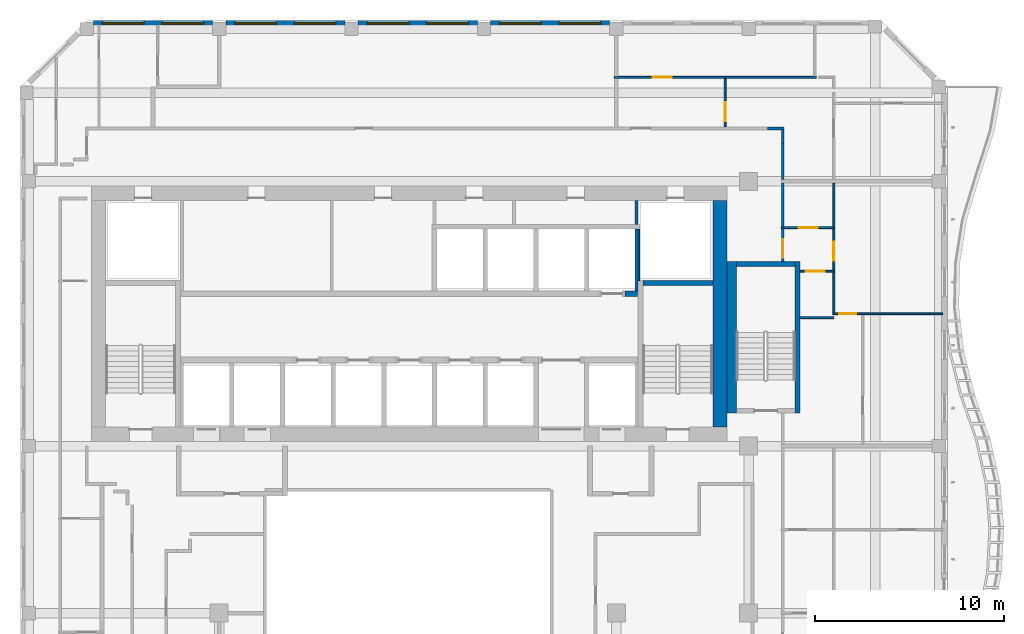
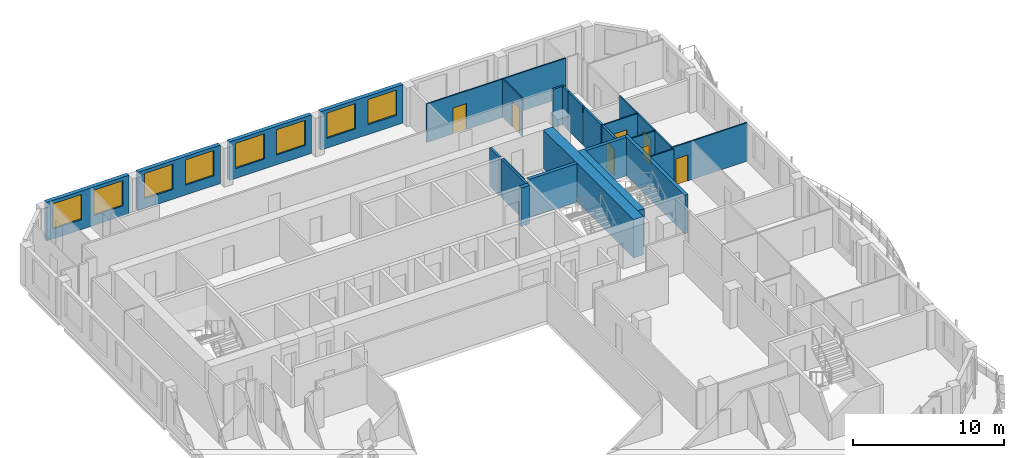
# One storey, part 8 of 20: 27 walls, 8 windows, 7 doors, 15 openings.
"""IFC4 building model written with IfcOpenShell, lengths in metres."""

from ifc_helpers import new_model, si_unit, direction, frame, frame_2d, origin, place, context, subcontext, project, spatial, rectangle, extrude, source, transform, mapped, material, layer, layer_set, type_object, element, fill, save


model = new_model("IFC4")

# Units and contexts
model_context = context("Model", 3, precision=1e-05, world=origin(), true_north=direction((0.0, 1.0)))
body_context = subcontext(model_context, "Body", "Model", "MODEL_VIEW")
ifc_project = project(units=[si_unit("LENGTHUNIT", "METRE"), si_unit("AREAUNIT", "SQUARE_METRE"), si_unit("VOLUMEUNIT", "CUBIC_METRE"), si_unit("PLANEANGLEUNIT", "RADIAN"), si_unit("MASSUNIT", "GRAM", prefix="KILO")], contexts=[model_context])

# Site, building, storey
site_placement = place(None, origin())
site = spatial("IfcSite", under=ifc_project, at=site_placement, CompositionType="ELEMENT")
building_placement = place(site_placement, origin())
building = spatial("IfcBuilding", under=site, at=building_placement, Name="Kilnfold Tower and Market Hall", CompositionType="ELEMENT")
storey_placement = place(building_placement, frame((0.0, 0.0, 239.0)))
storey = spatial("IfcBuildingStorey", under=building, at=storey_placement, Name="L57", CompositionType="ELEMENT", Elevation=239.0)

# Wall, opening, door
ifc_material_1 = material(Name="Gypsum board on steel studs", Category="steel")
ifc_layer_1 = layer(ifc_material_1, 0.14990234375)
ifc_layer_set_1 = layer_set([ifc_layer_1], Name="Gypsum board on steel studs")
wall_type_1 = type_object("IfcWallType", Name="WALL CORRIDOR 150", PredefinedType="PARTITIONING", material=ifc_layer_set_1)
wall_1_placement = place(storey_placement, frame((20.800048828125, 17.75, 0.0), z_axis=(0.0, 0.0, 1.0), x_axis=(0.0, 1.0, 0.0)))
wall_1 = element("IfcWall", 1, at=wall_1_placement, inside=storey, type_object=wall_type_1, Name="Partition LY35.17", PredefinedType="PARTITIONING", context=body_context, shape_type="SweptSolid", body=[
    extrude(rectangle(XDim=1.761962890625, YDim=0.14990234375, at=frame_2d((0.880859375, 0.0))), origin(), (0.0, 0.0, 1.0), 3.1201171875),
])
opening_1_placement = place(wall_1_placement, frame((0.199951171875, 0.0, 0.0)))
opening_1 = element("IfcOpeningElement", 2, at=opening_1_placement, cuts=wall_1, Name="Opening D1", PredefinedType="OPENING", context=body_context, shape_type="SweptSolid", body=[
    extrude(rectangle(XDim=1.0, YDim=2.10009765625, at=frame_2d((0.5, 1.050048828125))), frame((0.0, 0.0849609375, 0.0), z_axis=(0.0, -1.0, 0.0), x_axis=(1.0, 0.0, 0.0)), (0.0, 0.0, 1.0), 0.169921875),
])
ifc_material_2 = material(Name="Timber veneer door leaf in steel frame", Category="steel")
door_type_1 = type_object("IfcDoorType", Name="DOOR ENTRY 1000 X2100", OperationType="NOTDEFINED", PredefinedType="DOOR", material=ifc_material_2)
door_1_placement = place(opening_1_placement, origin())
door_1 = element("IfcDoor", 3, at=door_1_placement, inside=storey, type_object=door_type_1, Name="Door D1", OperationType="SINGLE_SWING_LEFT", OverallHeight=2.10009765625, OverallWidth=1.0, PredefinedType="DOOR", context=body_context, shape_type="SweptSolid", body=[
    extrude(rectangle(XDim=1.0, YDim=2.10009765625, at=frame_2d((0.5, 1.050048828125))), frame((0.0, 0.02490234375, 0.0), z_axis=(0.0, -1.0, 0.0), x_axis=(1.0, 0.0, 0.0)), (0.0, 0.0, 1.0), 0.050048828125),
])
fill(opening_1, door_1)

# Walls
wall_2_placement = place(storey_placement, frame((20.800048828125, 19.592041015625, 0.0), z_axis=(0.0, 0.0, 1.0), x_axis=(0.0, 1.0, 0.0)))
element("IfcWall", 4, at=wall_2_placement, inside=storey, type_object=wall_type_1, Name="Partition LY35.18", PredefinedType="PARTITIONING", context=body_context, shape_type="SweptSolid", body=[
    extrude(rectangle(XDim=2.31787109375, YDim=0.14990234375, at=frame_2d((1.158935546875, 0.0))), origin(), (0.0, 0.0, 1.0), 3.1201171875),
])
wall_3_placement = place(storey_placement, frame((20.876953125, 24.802001953125, 0.0), z_axis=(0.0, 0.0, 1.0), x_axis=(-1.0, 0.0, 0.0)))
element("IfcWall", 5, at=wall_3_placement, inside=storey, type_object=wall_type_1, Name="Partition LY35.19", PredefinedType="PARTITIONING", context=body_context, shape_type="SweptSolid", body=[
    extrude(rectangle(XDim=0.87890625, YDim=0.14990234375, at=frame_2d((0.439453125, 0.0))), origin(), (0.0, 0.0, 1.0), 3.1201171875),
])
wall_4_placement = place(storey_placement, frame((20.802001953125, 23.998046875, 0.0), z_axis=(0.0, 0.0, 1.0), x_axis=(0.0, 1.0, 0.0)))
element("IfcWall", 6, at=wall_4_placement, inside=storey, type_object=wall_type_1, Name="Partition LY35.20", PredefinedType="PARTITIONING", context=body_context, shape_type="SweptSolid", body=[
    extrude(rectangle(XDim=0.72900390625, YDim=0.14990234375, at=frame_2d((0.364501953125, 0.0))), origin(), (0.0, 0.0, 1.0), 3.1201171875),
])
wall_5_placement = place(storey_placement, frame((20.800048828125, 22.090087890625, 0.0), z_axis=(0.0, 0.0, 1.0), x_axis=(0.0, 1.0, 0.0)))
element("IfcWall", 7, at=wall_5_placement, inside=storey, type_object=wall_type_1, Name="Partition LY35.21", PredefinedType="PARTITIONING", context=body_context, shape_type="SweptSolid", body=[
    extrude(rectangle(XDim=1.907958984375, YDim=0.14990234375, at=frame_2d((0.9541015625, 0.0))), origin(), (0.0, 0.0, 1.0), 3.1201171875),
])

# Wall, opening, door
ifc_material_3 = material(Name="Gypsum board on steel studs", Category="steel")
ifc_layer_2 = layer(ifc_material_3, 0.10009765625)
ifc_layer_set_2 = layer_set([ifc_layer_2], Name="Gypsum board on steel studs")
wall_type_2 = type_object("IfcWallType", Name="WALL PARTITION 100", PredefinedType="PARTITIONING", material=ifc_layer_set_2)
wall_6_placement = place(storey_placement, frame((23.451904296875, 15.0, 0.0), z_axis=(0.0, 0.0, 1.0), x_axis=(1.0, 0.0, 0.0)))
wall_6 = element("IfcWall", 8, at=wall_6_placement, inside=storey, type_object=wall_type_2, Name="Partition LY35.81", PredefinedType="PARTITIONING", context=body_context, shape_type="SweptSolid", body=[
    extrude(rectangle(XDim=5.798095703125, YDim=0.10009765625, at=frame_2d((2.89892578125, 0.0))), origin(), (0.0, 0.0, 1.0), 3.1201171875),
])
opening_2_placement = place(wall_6_placement, frame((0.3369140625, 0.0, 0.0)))
opening_2 = element("IfcOpeningElement", 9, at=opening_2_placement, cuts=wall_6, Name="Opening D2", PredefinedType="OPENING", context=body_context, shape_type="SweptSolid", body=[
    extrude(rectangle(XDim=0.89990234375, YDim=2.10009765625, at=frame_2d((0.449951171875, 1.050048828125))), frame((0.0, 0.06005859375, 0.0), z_axis=(0.0, -1.0, 0.0), x_axis=(1.0, 0.0, 0.0)), (0.0, 0.0, 1.0), 0.1201171875),
])
ifc_material_4 = material(Name="Timber veneer door leaf in steel frame", Category="steel")
door_type_2 = type_object("IfcDoorType", Name="DOOR ROOM 900 X2100", OperationType="NOTDEFINED", PredefinedType="DOOR", material=ifc_material_4)
door_2_placement = place(opening_2_placement, origin())
door_2 = element("IfcDoor", 10, at=door_2_placement, inside=storey, type_object=door_type_2, Name="Door D2", OperationType="SINGLE_SWING_LEFT", OverallHeight=2.10009765625, OverallWidth=0.89990234375, PredefinedType="DOOR", context=body_context, shape_type="SweptSolid", body=[
    extrude(rectangle(XDim=0.89990234375, YDim=2.10009765625, at=frame_2d((0.449951171875, 1.050048828125))), frame((0.0, 0.02490234375, 0.0), z_axis=(0.0, -1.0, 0.0), x_axis=(1.0, 0.0, 0.0)), (0.0, 0.0, 1.0), 0.050048828125),
])
fill(opening_2, door_2)

# Walls
wall_7_placement = place(storey_placement, frame((23.5009765625, 14.798095703125, 0.0), z_axis=(0.0, 0.0, 1.0), x_axis=(-1.0, 0.0, 0.0)))
element("IfcWall", 11, at=wall_7_placement, inside=storey, type_object=wall_type_2, Name="Partition LY35.82", PredefinedType="PARTITIONING", context=body_context, shape_type="SweptSolid", body=[
    extrude(rectangle(XDim=1.801025390625, YDim=0.10009765625, at=frame_2d((0.900390625, 0.0))), origin(), (0.0, 0.0, 1.0), 3.1201171875),
])
wall_8_placement = place(storey_placement, frame((23.501953125, 15.050048828125, 0.0), z_axis=(0.0, 0.0, 1.0), x_axis=(0.0, 1.0, 0.0)))
element("IfcWall", 12, at=wall_8_placement, inside=storey, type_object=wall_type_2, Name="Partition LY35.83", PredefinedType="PARTITIONING", context=body_context, shape_type="SweptSolid", body=[
    extrude(rectangle(XDim=2.157958984375, YDim=0.10009765625, at=frame_2d((1.0791015625, 0.0))), origin(), (0.0, 0.0, 1.0), 3.1201171875),
])

# Wall, opening, door
wall_9_placement = place(storey_placement, frame((23.501953125, 17.2880859375, 0.0), z_axis=(0.0, 0.0, 1.0), x_axis=(0.0, 1.0, 0.0)))
wall_9 = element("IfcWall", 13, at=wall_9_placement, inside=storey, type_object=wall_type_2, Name="Partition LY35.84", PredefinedType="PARTITIONING", context=body_context, shape_type="SweptSolid", body=[
    extrude(rectangle(XDim=2.223876953125, YDim=0.10009765625, at=frame_2d((1.11181640625, 0.0))), origin(), (0.0, 0.0, 1.0), 3.1201171875),
])
opening_3_placement = place(wall_9_placement, frame((0.509033203125, 0.0, 0.0)))
opening_3 = element("IfcOpeningElement", 14, at=opening_3_placement, cuts=wall_9, Name="Opening D1", PredefinedType="OPENING", context=body_context, shape_type="SweptSolid", body=[
    extrude(rectangle(XDim=1.0, YDim=2.10009765625, at=frame_2d((0.5, 1.050048828125))), frame((0.0, 0.06005859375, 0.0), z_axis=(0.0, -1.0, 0.0), x_axis=(1.0, 0.0, 0.0)), (0.0, 0.0, 1.0), 0.1201171875),
])
door_3_placement = place(opening_3_placement, origin())
door_3 = element("IfcDoor", 15, at=door_3_placement, inside=storey, type_object=door_type_1, Name="Door D1", OperationType="SINGLE_SWING_LEFT", OverallHeight=2.10009765625, OverallWidth=1.0, PredefinedType="DOOR", context=body_context, shape_type="SweptSolid", body=[
    extrude(rectangle(XDim=1.0, YDim=2.10009765625, at=frame_2d((0.5, 1.050048828125))), frame((0.0, 0.02490234375, 0.0), z_axis=(0.0, -1.0, 0.0), x_axis=(1.0, 0.0, 0.0)), (0.0, 0.0, 1.0), 0.050048828125),
])
fill(opening_3, door_3)

# Wall
wall_10_placement = place(storey_placement, frame((23.501953125, 19.592041015625, 0.0), z_axis=(0.0, 0.0, 1.0), x_axis=(0.0, 1.0, 0.0)))
element("IfcWall", 16, at=wall_10_placement, inside=storey, type_object=wall_type_2, Name="Partition LY35.85", PredefinedType="PARTITIONING", context=body_context, shape_type="SweptSolid", body=[
    extrude(rectangle(XDim=2.307861328125, YDim=0.10009765625, at=frame_2d((1.15380859375, 0.0))), origin(), (0.0, 0.0, 1.0), 3.1201171875),
])

# Wall, opening, door
wall_11_placement = place(storey_placement, frame((23.550048828125, 17.248046875, 0.0), z_axis=(0.0, 0.0, 1.0), x_axis=(-1.0, 0.0, 0.0)))
wall_11 = element("IfcWall", 17, at=wall_11_placement, inside=storey, type_object=wall_type_2, Name="Partition LY35.86", PredefinedType="PARTITIONING", context=body_context, shape_type="SweptSolid", body=[
    extrude(rectangle(XDim=1.85009765625, YDim=0.10009765625, at=frame_2d((0.925048828125, 0.0))), origin(), (0.0, 0.0, 1.0), 3.1201171875),
])
opening_4_placement = place(wall_11_placement, frame((0.5380859375, 0.0, 0.0)))
opening_4 = element("IfcOpeningElement", 18, at=opening_4_placement, cuts=wall_11, Name="Opening D1", PredefinedType="OPENING", context=body_context, shape_type="SweptSolid", body=[
    extrude(rectangle(XDim=1.0, YDim=2.10009765625, at=frame_2d((0.5, 1.050048828125))), frame((0.0, 0.06005859375, 0.0), z_axis=(0.0, -1.0, 0.0), x_axis=(1.0, 0.0, 0.0)), (0.0, 0.0, 1.0), 0.1201171875),
])
door_4_placement = place(opening_4_placement, origin())
door_4 = element("IfcDoor", 19, at=door_4_placement, inside=storey, type_object=door_type_1, Name="Door D1", OperationType="SINGLE_SWING_LEFT", OverallHeight=2.10009765625, OverallWidth=1.0, PredefinedType="DOOR", context=body_context, shape_type="SweptSolid", body=[
    extrude(rectangle(XDim=1.0, YDim=2.10009765625, at=frame_2d((0.5, 1.050048828125))), frame((0.0, 0.02490234375, 0.0), z_axis=(0.0, -1.0, 0.0), x_axis=(1.0, 0.0, 0.0)), (0.0, 0.0, 1.0), 0.050048828125),
])
fill(opening_4, door_4)

wall_12_placement = place(storey_placement, frame((23.550048828125, 19.552001953125, 0.0), z_axis=(0.0, 0.0, 1.0), x_axis=(-1.0, 0.0, 0.0)))
wall_12 = element("IfcWall", 20, at=wall_12_placement, inside=storey, type_object=wall_type_2, Name="Partition LY35.87", PredefinedType="PARTITIONING", context=body_context, shape_type="SweptSolid", body=[
    extrude(rectangle(XDim=2.822998046875, YDim=0.10009765625, at=frame_2d((1.41162109375, 0.0))), origin(), (0.0, 0.0, 1.0), 3.1201171875),
])
opening_5_placement = place(wall_12_placement, frame((0.912109375, 0.0, 0.0)))
opening_5 = element("IfcOpeningElement", 21, at=opening_5_placement, cuts=wall_12, Name="Opening D1", PredefinedType="OPENING", context=body_context, shape_type="SweptSolid", body=[
    extrude(rectangle(XDim=1.0, YDim=2.10009765625, at=frame_2d((0.5, 1.050048828125))), frame((0.0, 0.06005859375, 0.0), z_axis=(0.0, -1.0, 0.0), x_axis=(1.0, 0.0, 0.0)), (0.0, 0.0, 1.0), 0.1201171875),
])
door_5_placement = place(opening_5_placement, origin())
door_5 = element("IfcDoor", 22, at=door_5_placement, inside=storey, type_object=door_type_1, Name="Door D1", OperationType="SINGLE_SWING_RIGHT", OverallHeight=2.10009765625, OverallWidth=1.0, PredefinedType="DOOR", context=body_context, shape_type="SweptSolid", body=[
    extrude(rectangle(XDim=1.0, YDim=2.10009765625, at=frame_2d((0.5, 1.050048828125))), frame((0.0, 0.02490234375, 0.0), z_axis=(0.0, -1.0, 0.0), x_axis=(1.0, 0.0, 0.0)), (0.0, 0.0, 1.0), 0.050048828125),
])
fill(opening_5, door_5)

wall_13_placement = place(storey_placement, frame((17.75, 24.876953125, 0.0), z_axis=(0.0, 0.0, 1.0), x_axis=(0.0, 1.0, 0.0)))
wall_13 = element("IfcWall", 23, at=wall_13_placement, inside=storey, type_object=wall_type_2, Name="Partition LY35.89", PredefinedType="PARTITIONING", context=body_context, shape_type="SweptSolid", body=[
    extrude(rectangle(XDim=2.572998046875, YDim=0.10009765625, at=frame_2d((1.28662109375, 0.0))), origin(), (0.0, 0.0, 1.0), 3.1201171875),
])
opening_6_placement = place(wall_13_placement, frame((0.306884765625, 0.0, 0.0)))
opening_6 = element("IfcOpeningElement", 24, at=opening_6_placement, cuts=wall_13, Name="Opening D1", PredefinedType="OPENING", context=body_context, shape_type="SweptSolid", body=[
    extrude(rectangle(XDim=1.0, YDim=2.10009765625, at=frame_2d((0.5, 1.050048828125))), frame((0.0, 0.06005859375, 0.0), z_axis=(0.0, -1.0, 0.0), x_axis=(1.0, 0.0, 0.0)), (0.0, 0.0, 1.0), 0.1201171875),
])
door_6_placement = place(opening_6_placement, origin())
door_6 = element("IfcDoor", 25, at=door_6_placement, inside=storey, type_object=door_type_1, Name="Door D1", OperationType="SINGLE_SWING_RIGHT", OverallHeight=2.10009765625, OverallWidth=1.0, PredefinedType="DOOR", context=body_context, shape_type="SweptSolid", body=[
    extrude(rectangle(XDim=1.0, YDim=2.10009765625, at=frame_2d((0.5, 1.050048828125))), frame((0.0, 0.02490234375, 0.0), z_axis=(0.0, -1.0, 0.0), x_axis=(1.0, 0.0, 0.0)), (0.0, 0.0, 1.0), 0.050048828125),
])
fill(opening_6, door_6)

wall_14_placement = place(storey_placement, frame((11.89990234375, 27.5, 0.0), z_axis=(0.0, 0.0, 1.0), x_axis=(1.0, 0.0, 0.0)))
wall_14 = element("IfcWall", 26, at=wall_14_placement, inside=storey, type_object=wall_type_2, Name="Partition LY35.90", PredefinedType="PARTITIONING", context=body_context, shape_type="SweptSolid", body=[
    extrude(rectangle(XDim=10.66015625, YDim=0.10009765625, at=frame_2d((5.330078125, 0.0))), origin(), (0.0, 0.0, 1.0), 3.1201171875),
])
opening_7_placement = place(wall_14_placement, frame((2.02001953125, 0.0, 0.0)))
opening_7 = element("IfcOpeningElement", 27, at=opening_7_placement, cuts=wall_14, Name="Opening D1", PredefinedType="OPENING", context=body_context, shape_type="SweptSolid", body=[
    extrude(rectangle(XDim=1.0, YDim=2.10009765625, at=frame_2d((0.5, 1.050048828125))), frame((0.0, 0.06005859375, 0.0), z_axis=(0.0, -1.0, 0.0), x_axis=(1.0, 0.0, 0.0)), (0.0, 0.0, 1.0), 0.1201171875),
])
door_7_placement = place(opening_7_placement, origin())
door_7 = element("IfcDoor", 28, at=door_7_placement, inside=storey, type_object=door_type_1, Name="Door D1", OperationType="SINGLE_SWING_LEFT", OverallHeight=2.10009765625, OverallWidth=1.0, PredefinedType="DOOR", context=body_context, shape_type="SweptSolid", body=[
    extrude(rectangle(XDim=1.0, YDim=2.10009765625, at=frame_2d((0.5, 1.050048828125))), frame((0.0, 0.02490234375, 0.0), z_axis=(0.0, -1.0, 0.0), x_axis=(1.0, 0.0, 0.0)), (0.0, 0.0, 1.0), 0.050048828125),
])
fill(opening_7, door_7)

# Walls
ifc_material_5 = material(Name="Concrete C60", Category="concrete")
ifc_layer_3 = layer(ifc_material_5, 0.25)
ifc_layer_set_3 = layer_set([ifc_layer_3], Name="Concrete C60")
wall_type_3 = type_object("IfcWallType", Name="CORE WALL 250 C60", PredefinedType="SHEAR", material=ifc_layer_set_3)
shared_shape_1 = source(origin(), body_context, "Body", "SweptSolid", [
    extrude(rectangle(XDim=3.7001953125, YDim=0.25, at=frame_2d((1.85009765625, 0.0))), origin(), (0.0, 0.0, 1.0), 3.1201171875),
])
wall_15_placement = place(storey_placement, frame((13.39990234375, 16.625, 0.0), z_axis=(0.0, 0.0, 1.0), x_axis=(1.0, 0.0, 0.0)))
element("IfcWall", 29, at=wall_15_placement, inside=storey, type_object=wall_type_3, Name="Stair enclosure ST2", PredefinedType="SHEAR", context=body_context, shape_type="MappedRepresentation", body=[
    mapped(shared_shape_1, transform((0.0, 0.0, 0.0))),
])
shared_shape_2 = source(origin(), body_context, "Body", "SweptSolid", [
    extrude(rectangle(XDim=8.0, YDim=0.25, at=frame_2d((4.0, 0.0))), origin(), (0.0, 0.0, 1.0), 3.1201171875),
])
wall_16_placement = place(storey_placement, frame((21.574951171875, 9.75, 0.0), z_axis=(0.0, 0.0, 1.0), x_axis=(0.0, 1.0, 0.0)))
element("IfcWall", 30, at=wall_16_placement, inside=storey, type_object=wall_type_3, Name="Stair enclosure ST5", PredefinedType="SHEAR", context=body_context, shape_type="MappedRepresentation", body=[
    mapped(shared_shape_2, transform((0.0, 0.0, 0.0))),
])
shared_shape_3 = source(origin(), body_context, "Body", "SweptSolid", [
    extrude(rectangle(XDim=3.099853515625, YDim=0.25, at=frame_2d((1.5498046875, 0.0))), origin(), (0.0, 0.0, 1.0), 3.1201171875),
])
wall_17_placement = place(storey_placement, frame((18.35009765625, 17.625, 0.0), z_axis=(0.0, 0.0, 1.0), x_axis=(1.0, 0.0, 0.0)))
element("IfcWall", 31, at=wall_17_placement, inside=storey, type_object=wall_type_3, Name="Stair enclosure ST5", PredefinedType="SHEAR", context=body_context, shape_type="MappedRepresentation", body=[
    mapped(shared_shape_3, transform((0.0, 0.0, 0.0))),
])
ifc_material_6 = material(Name="Concrete C60", Category="concrete")
ifc_layer_4 = layer(ifc_material_6, 0.300048828125)
ifc_layer_set_4 = layer_set([ifc_layer_4], Name="Concrete C60")
wall_type_4 = type_object("IfcWallType", Name="CORE WALL 300 C60", PredefinedType="SHEAR", material=ifc_layer_set_4)
shared_shape_4 = source(origin(), body_context, "Body", "SweptSolid", [
    extrude(rectangle(XDim=0.64013671875, YDim=0.300048828125, at=frame_2d((0.320068359375, 0.0))), origin(), (0.0, 0.0, 1.0), 3.1201171875),
])
wall_18_placement = place(storey_placement, frame((12.469970703125, 16.050048828125, 0.0), z_axis=(0.0, 0.0, 1.0), x_axis=(1.0, 0.0, 0.0)))
element("IfcWall", 32, at=wall_18_placement, inside=storey, type_object=wall_type_4, Name="Core spine wall", PredefinedType="SHEAR", context=body_context, shape_type="MappedRepresentation", body=[
    mapped(shared_shape_4, transform((0.0, 0.0, 0.0))),
])
ifc_material_7 = material(Name="Concrete C60", Category="concrete")
ifc_layer_5 = layer(ifc_material_7, 0.75)
ifc_layer_set_5 = layer_set([ifc_layer_5], Name="Concrete C60")
wall_type_5 = type_object("IfcWallType", Name="CORE WALL 750 C60", PredefinedType="SHEAR", material=ifc_layer_set_5)
shared_shape_5 = source(origin(), body_context, "Body", "SweptSolid", [
    extrude(rectangle(XDim=12.0, YDim=0.75, at=frame_2d((6.0, 0.0))), origin(), (0.0, 0.0, 1.0), 3.1201171875),
])
wall_19_placement = place(storey_placement, frame((17.47509765625, 9.0, 0.0), z_axis=(0.0, 0.0, 1.0), x_axis=(0.0, 1.0, 0.0)))
element("IfcWall", 33, at=wall_19_placement, inside=storey, type_object=wall_type_5, Name="Core outer wall east", PredefinedType="SHEAR", context=body_context, shape_type="MappedRepresentation", body=[
    mapped(shared_shape_5, transform((0.0, 0.0, 0.0))),
])
ifc_material_8 = material(Name="Concrete C60", Category="concrete")
ifc_layer_6 = layer(ifc_material_8, 0.5)
ifc_layer_set_6 = layer_set([ifc_layer_6], Name="Concrete C60")
wall_type_6 = type_object("IfcWallType", Name="CORE WALL 500 C60", PredefinedType="SHEAR", material=ifc_layer_set_6)
shared_shape_6 = source(origin(), body_context, "Body", "SweptSolid", [
    extrude(rectangle(XDim=8.0, YDim=0.5, at=frame_2d((4.0, 0.0))), origin(), (0.0, 0.0, 1.0), 3.1201171875),
])
wall_20_placement = place(storey_placement, frame((18.10009765625, 9.75, 0.0), z_axis=(0.0, 0.0, 1.0), x_axis=(0.0, 1.0, 0.0)))
element("IfcWall", 34, at=wall_20_placement, inside=storey, type_object=wall_type_6, Name="Stair enclosure ST5", PredefinedType="SHEAR", context=body_context, shape_type="MappedRepresentation", body=[
    mapped(shared_shape_6, transform((0.0, 0.0, 0.0))),
])

# Wall, openings, windows
ifc_material_9 = material(Name="Precast concrete C50/60", Category="concrete")
ifc_layer_7 = layer(ifc_material_9, 0.300048828125)
ifc_layer_set_7 = layer_set([ifc_layer_7], Name="Precast concrete C50/60")
wall_type_7 = type_object("IfcWallType", Name="PRECAST WALL 300", PredefinedType="SOLIDWALL", material=ifc_layer_set_7)
shared_shape_7 = source(origin(), body_context, "Body", "SweptSolid", [
    extrude(rectangle(XDim=6.2998046875, YDim=0.300048828125, at=frame_2d((3.14990234375, 0.0))), origin(), (0.0, 0.0, 1.0), 3.1201171875),
])
wall_21_placement = place(storey_placement, frame((11.64990234375, 30.35009765625, 0.0), z_axis=(0.0, 0.0, 1.0), x_axis=(-1.0, 0.0, 0.0)))
wall_21 = element("IfcWall", 35, at=wall_21_placement, inside=storey, type_object=wall_type_7, Name="External wall L57 N", PredefinedType="SOLIDWALL", context=body_context, shape_type="MappedRepresentation", body=[
    mapped(shared_shape_7, transform((0.0, 0.0, 0.0))),
])
opening_8_placement = place(wall_21_placement, frame((0.47509765625, 0.0, 0.800048828125)))
opening_8 = element("IfcOpeningElement", 36, at=opening_8_placement, cuts=wall_21, Name="Opening W3", PredefinedType="OPENING", context=body_context, shape_type="SweptSolid", body=[
    extrude(rectangle(XDim=2.199951171875, YDim=2.050048828125, at=frame_2d((1.10009765625, 1.02490234375))), frame((0.0, 0.16015625, 0.0), z_axis=(0.0, -1.0, 0.0), x_axis=(1.0, 0.0, 0.0)), (0.0, 0.0, 1.0), 0.320068359375),
])
opening_9_placement = place(wall_21_placement, frame((3.625, 0.0, 0.800048828125)))
opening_9 = element("IfcOpeningElement", 37, at=opening_9_placement, cuts=wall_21, Name="Opening W3", PredefinedType="OPENING", context=body_context, shape_type="SweptSolid", body=[
    extrude(rectangle(XDim=2.199951171875, YDim=2.050048828125, at=frame_2d((1.10009765625, 1.02490234375))), frame((0.0, 0.16015625, 0.0), z_axis=(0.0, -1.0, 0.0), x_axis=(1.0, 0.0, 0.0)), (0.0, 0.0, 1.0), 0.320068359375),
])
ifc_material_10 = material(Name="Aluminium frame and double glazing", Category="aluminium")
window_type = type_object("IfcWindowType", Name="WINDOW W3 2200X2050", PartitioningType="SINGLE_PANEL", PredefinedType="WINDOW", material=ifc_material_10)
window_1_placement = place(opening_8_placement, origin())
window_1 = element("IfcWindow", 38, at=window_1_placement, inside=storey, type_object=window_type, Name="Window W3 L57 N-1", OverallHeight=2.050048828125, OverallWidth=2.199951171875, PartitioningType="SINGLE_PANEL", PredefinedType="WINDOW", context=body_context, shape_type="SweptSolid", body=[
    extrude(rectangle(XDim=2.199951171875, YDim=2.050048828125, at=frame_2d((1.10009765625, 1.02490234375))), frame((0.0, 0.030029296875, 0.0), z_axis=(0.0, -1.0, 0.0), x_axis=(1.0, 0.0, 0.0)), (0.0, 0.0, 1.0), 0.06005859375),
])
fill(opening_8, window_1)
window_2_placement = place(opening_9_placement, origin())
window_2 = element("IfcWindow", 39, at=window_2_placement, inside=storey, type_object=window_type, Name="Window W3 L57 N-2", OverallHeight=2.050048828125, OverallWidth=2.199951171875, PartitioningType="SINGLE_PANEL", PredefinedType="WINDOW", context=body_context, shape_type="SweptSolid", body=[
    extrude(rectangle(XDim=2.199951171875, YDim=2.050048828125, at=frame_2d((1.10009765625, 1.02490234375))), frame((0.0, 0.030029296875, 0.0), z_axis=(0.0, -1.0, 0.0), x_axis=(1.0, 0.0, 0.0)), (0.0, 0.0, 1.0), 0.06005859375),
])
fill(opening_9, window_2)

wall_22_placement = place(storey_placement, frame((4.64990234375, 30.35009765625, 0.0), z_axis=(0.0, 0.0, 1.0), x_axis=(-1.0, 0.0, 0.0)))
wall_22 = element("IfcWall", 40, at=wall_22_placement, inside=storey, type_object=wall_type_7, Name="External wall L57 N", PredefinedType="SOLIDWALL", context=body_context, shape_type="MappedRepresentation", body=[
    mapped(shared_shape_7, transform((0.0, 0.0, 0.0))),
])
opening_10_placement = place(wall_22_placement, frame((0.47509765625, 0.0, 0.800048828125)))
opening_10 = element("IfcOpeningElement", 41, at=opening_10_placement, cuts=wall_22, Name="Opening W3", PredefinedType="OPENING", context=body_context, shape_type="SweptSolid", body=[
    extrude(rectangle(XDim=2.199951171875, YDim=2.050048828125, at=frame_2d((1.10009765625, 1.02490234375))), frame((0.0, 0.16015625, 0.0), z_axis=(0.0, -1.0, 0.0), x_axis=(1.0, 0.0, 0.0)), (0.0, 0.0, 1.0), 0.320068359375),
])
opening_11_placement = place(wall_22_placement, frame((3.625, 0.0, 0.800048828125)))
opening_11 = element("IfcOpeningElement", 42, at=opening_11_placement, cuts=wall_22, Name="Opening W3", PredefinedType="OPENING", context=body_context, shape_type="SweptSolid", body=[
    extrude(rectangle(XDim=2.199951171875, YDim=2.050048828125, at=frame_2d((1.10009765625, 1.02490234375))), frame((0.0, 0.16015625, 0.0), z_axis=(0.0, -1.0, 0.0), x_axis=(1.0, 0.0, 0.0)), (0.0, 0.0, 1.0), 0.320068359375),
])
window_3_placement = place(opening_10_placement, origin())
window_3 = element("IfcWindow", 43, at=window_3_placement, inside=storey, type_object=window_type, Name="Window W3 L57 N-1", OverallHeight=2.050048828125, OverallWidth=2.199951171875, PartitioningType="SINGLE_PANEL", PredefinedType="WINDOW", context=body_context, shape_type="SweptSolid", body=[
    extrude(rectangle(XDim=2.199951171875, YDim=2.050048828125, at=frame_2d((1.10009765625, 1.02490234375))), frame((0.0, 0.030029296875, 0.0), z_axis=(0.0, -1.0, 0.0), x_axis=(1.0, 0.0, 0.0)), (0.0, 0.0, 1.0), 0.06005859375),
])
fill(opening_10, window_3)
window_4_placement = place(opening_11_placement, origin())
window_4 = element("IfcWindow", 44, at=window_4_placement, inside=storey, type_object=window_type, Name="Window W3 L57 N-2", OverallHeight=2.050048828125, OverallWidth=2.199951171875, PartitioningType="SINGLE_PANEL", PredefinedType="WINDOW", context=body_context, shape_type="SweptSolid", body=[
    extrude(rectangle(XDim=2.199951171875, YDim=2.050048828125, at=frame_2d((1.10009765625, 1.02490234375))), frame((0.0, 0.030029296875, 0.0), z_axis=(0.0, -1.0, 0.0), x_axis=(1.0, 0.0, 0.0)), (0.0, 0.0, 1.0), 0.06005859375),
])
fill(opening_11, window_4)

wall_23_placement = place(storey_placement, frame((-2.35009765625, 30.35009765625, 0.0), z_axis=(0.0, 0.0, 1.0), x_axis=(-1.0, 0.0, 0.0)))
wall_23 = element("IfcWall", 45, at=wall_23_placement, inside=storey, type_object=wall_type_7, Name="External wall L57 N", PredefinedType="SOLIDWALL", context=body_context, shape_type="MappedRepresentation", body=[
    mapped(shared_shape_7, transform((0.0, 0.0, 0.0))),
])
opening_12_placement = place(wall_23_placement, frame((0.47509765625, 0.0, 0.800048828125)))
opening_12 = element("IfcOpeningElement", 46, at=opening_12_placement, cuts=wall_23, Name="Opening W3", PredefinedType="OPENING", context=body_context, shape_type="SweptSolid", body=[
    extrude(rectangle(XDim=2.199951171875, YDim=2.050048828125, at=frame_2d((1.10009765625, 1.02490234375))), frame((0.0, 0.16015625, 0.0), z_axis=(0.0, -1.0, 0.0), x_axis=(1.0, 0.0, 0.0)), (0.0, 0.0, 1.0), 0.320068359375),
])
opening_13_placement = place(wall_23_placement, frame((3.625, 0.0, 0.800048828125)))
opening_13 = element("IfcOpeningElement", 47, at=opening_13_placement, cuts=wall_23, Name="Opening W3", PredefinedType="OPENING", context=body_context, shape_type="SweptSolid", body=[
    extrude(rectangle(XDim=2.199951171875, YDim=2.050048828125, at=frame_2d((1.10009765625, 1.02490234375))), frame((0.0, 0.16015625, 0.0), z_axis=(0.0, -1.0, 0.0), x_axis=(1.0, 0.0, 0.0)), (0.0, 0.0, 1.0), 0.320068359375),
])
window_5_placement = place(opening_12_placement, origin())
window_5 = element("IfcWindow", 48, at=window_5_placement, inside=storey, type_object=window_type, Name="Window W3 L57 N-1", OverallHeight=2.050048828125, OverallWidth=2.199951171875, PartitioningType="SINGLE_PANEL", PredefinedType="WINDOW", context=body_context, shape_type="SweptSolid", body=[
    extrude(rectangle(XDim=2.199951171875, YDim=2.050048828125, at=frame_2d((1.10009765625, 1.02490234375))), frame((0.0, 0.030029296875, 0.0), z_axis=(0.0, -1.0, 0.0), x_axis=(1.0, 0.0, 0.0)), (0.0, 0.0, 1.0), 0.06005859375),
])
fill(opening_12, window_5)
window_6_placement = place(opening_13_placement, origin())
window_6 = element("IfcWindow", 49, at=window_6_placement, inside=storey, type_object=window_type, Name="Window W3 L57 N-2", OverallHeight=2.050048828125, OverallWidth=2.199951171875, PartitioningType="SINGLE_PANEL", PredefinedType="WINDOW", context=body_context, shape_type="SweptSolid", body=[
    extrude(rectangle(XDim=2.199951171875, YDim=2.050048828125, at=frame_2d((1.10009765625, 1.02490234375))), frame((0.0, 0.030029296875, 0.0), z_axis=(0.0, -1.0, 0.0), x_axis=(1.0, 0.0, 0.0)), (0.0, 0.0, 1.0), 0.06005859375),
])
fill(opening_13, window_6)

wall_24_placement = place(storey_placement, frame((-9.35009765625, 30.35009765625, 0.0), z_axis=(0.0, 0.0, 1.0), x_axis=(-1.0, 0.0, 0.0)))
wall_24 = element("IfcWall", 50, at=wall_24_placement, inside=storey, type_object=wall_type_7, Name="External wall L57 N", PredefinedType="SOLIDWALL", context=body_context, shape_type="MappedRepresentation", body=[
    mapped(shared_shape_7, transform((0.0, 0.0, 0.0))),
])
opening_14_placement = place(wall_24_placement, frame((0.47509765625, 0.0, 0.800048828125)))
opening_14 = element("IfcOpeningElement", 51, at=opening_14_placement, cuts=wall_24, Name="Opening W3", PredefinedType="OPENING", context=body_context, shape_type="SweptSolid", body=[
    extrude(rectangle(XDim=2.199951171875, YDim=2.050048828125, at=frame_2d((1.10009765625, 1.02490234375))), frame((0.0, 0.16015625, 0.0), z_axis=(0.0, -1.0, 0.0), x_axis=(1.0, 0.0, 0.0)), (0.0, 0.0, 1.0), 0.320068359375),
])
opening_15_placement = place(wall_24_placement, frame((3.625, 0.0, 0.800048828125)))
opening_15 = element("IfcOpeningElement", 52, at=opening_15_placement, cuts=wall_24, Name="Opening W3", PredefinedType="OPENING", context=body_context, shape_type="SweptSolid", body=[
    extrude(rectangle(XDim=2.199951171875, YDim=2.050048828125, at=frame_2d((1.10009765625, 1.02490234375))), frame((0.0, 0.16015625, 0.0), z_axis=(0.0, -1.0, 0.0), x_axis=(1.0, 0.0, 0.0)), (0.0, 0.0, 1.0), 0.320068359375),
])
window_7_placement = place(opening_14_placement, origin())
window_7 = element("IfcWindow", 53, at=window_7_placement, inside=storey, type_object=window_type, Name="Window W3 L57 N-1", OverallHeight=2.050048828125, OverallWidth=2.199951171875, PartitioningType="SINGLE_PANEL", PredefinedType="WINDOW", context=body_context, shape_type="SweptSolid", body=[
    extrude(rectangle(XDim=2.199951171875, YDim=2.050048828125, at=frame_2d((1.10009765625, 1.02490234375))), frame((0.0, 0.030029296875, 0.0), z_axis=(0.0, -1.0, 0.0), x_axis=(1.0, 0.0, 0.0)), (0.0, 0.0, 1.0), 0.06005859375),
])
fill(opening_14, window_7)
window_8_placement = place(opening_15_placement, origin())
window_8 = element("IfcWindow", 54, at=window_8_placement, inside=storey, type_object=window_type, Name="Window W3 L57 N-2", OverallHeight=2.050048828125, OverallWidth=2.199951171875, PartitioningType="SINGLE_PANEL", PredefinedType="WINDOW", context=body_context, shape_type="SweptSolid", body=[
    extrude(rectangle(XDim=2.199951171875, YDim=2.050048828125, at=frame_2d((1.10009765625, 1.02490234375))), frame((0.0, 0.030029296875, 0.0), z_axis=(0.0, -1.0, 0.0), x_axis=(1.0, 0.0, 0.0)), (0.0, 0.0, 1.0), 0.06005859375),
])
fill(opening_15, window_8)

# Walls
ifc_material_11 = material(Name="Gypsum shaft wall system")
ifc_layer_8 = layer(ifc_material_11, 0.1650390625)
ifc_layer_set_8 = layer_set([ifc_layer_8], Name="Gypsum shaft wall system")
wall_type_8 = type_object("IfcWallType", Name="SHAFT WALL 165", PredefinedType="PARTITIONING", material=ifc_layer_set_8)
shared_shape_8 = source(origin(), body_context, "Body", "SweptSolid", [
    extrude(rectangle(XDim=3.275146484375, YDim=0.1650390625, at=frame_2d((1.6376953125, 0.0))), origin(), (0.0, 0.0, 1.0), 3.1201171875),
])
wall_25_placement = place(storey_placement, frame((13.0673828125, 16.199951171875, 0.0), z_axis=(0.0, 0.0, 1.0), x_axis=(0.0, 1.0, 0.0)))
element("IfcWall", 55, at=wall_25_placement, inside=storey, type_object=wall_type_8, Name="Lift shaft wall", PredefinedType="PARTITIONING", context=body_context, shape_type="MappedRepresentation", body=[
    mapped(shared_shape_8, transform((0.0, 0.0, 0.0))),
])
shared_shape_9 = source(origin(), body_context, "Body", "SweptSolid", [
    extrude(rectangle(XDim=1.27490234375, YDim=0.1650390625, at=frame_2d((0.637451171875, 0.0))), origin(), (0.0, 0.0, 1.0), 3.1201171875),
])
wall_26_placement = place(storey_placement, frame((13.0673828125, 19.72509765625, 0.0), z_axis=(0.0, 0.0, 1.0), x_axis=(0.0, 1.0, 0.0)))
element("IfcWall", 56, at=wall_26_placement, inside=storey, type_object=wall_type_8, Name="Lift shaft wall", PredefinedType="PARTITIONING", context=body_context, shape_type="MappedRepresentation", body=[
    mapped(shared_shape_9, transform((0.0, 0.0, 0.0))),
])
ifc_material_12 = material(Name="Gypsum shaft wall system")
ifc_layer_9 = layer(ifc_material_12, 0.0849609375)
ifc_layer_set_9 = layer_set([ifc_layer_9], Name="Gypsum shaft wall system")
wall_type_9 = type_object("IfcWallType", Name="SHAFT WALL 85", PredefinedType="PARTITIONING", material=ifc_layer_set_9)
shared_shape_10 = source(origin(), body_context, "Body", "SweptSolid", [
    extrude(rectangle(XDim=2.72509765625, YDim=0.0849609375, at=frame_2d((1.362548828125, 0.0))), origin(), (0.0, 0.0, 1.0), 3.1201171875),
])
wall_27_placement = place(storey_placement, frame((13.1923828125, 16.75, 0.0), z_axis=(0.0, 0.0, 1.0), x_axis=(0.0, 1.0, 0.0)))
element("IfcWall", 57, at=wall_27_placement, inside=storey, type_object=wall_type_9, Name="Lift shaft wall", PredefinedType="PARTITIONING", context=body_context, shape_type="MappedRepresentation", body=[
    mapped(shared_shape_10, transform((0.0, 0.0, 0.0))),
])

save(model, "model.ifc")
